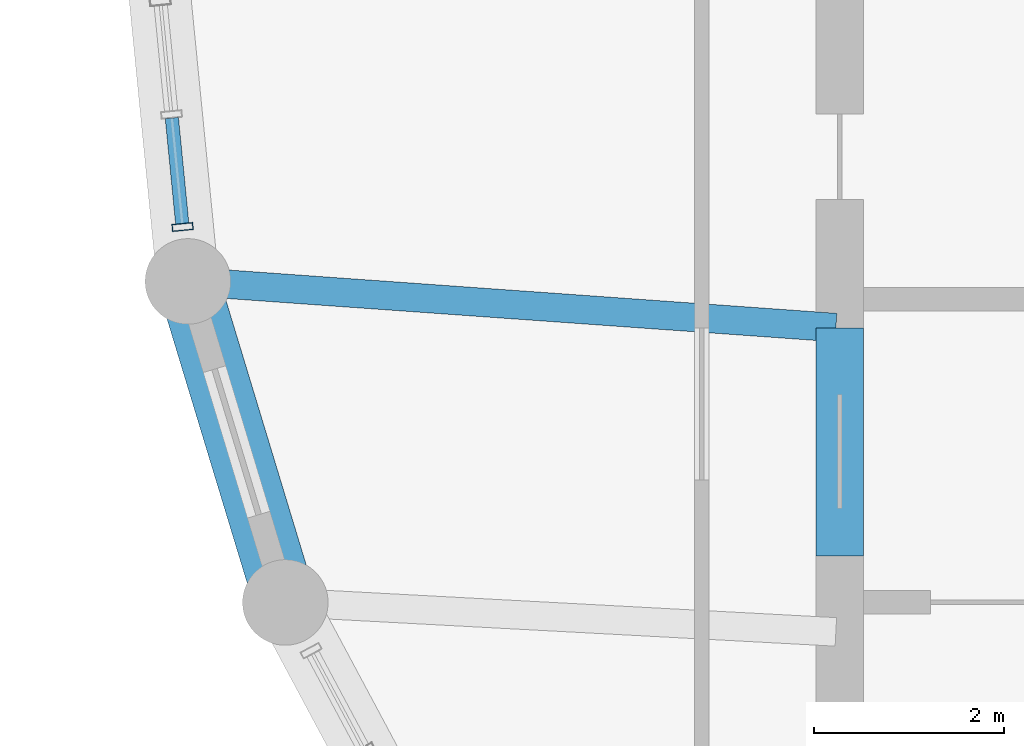
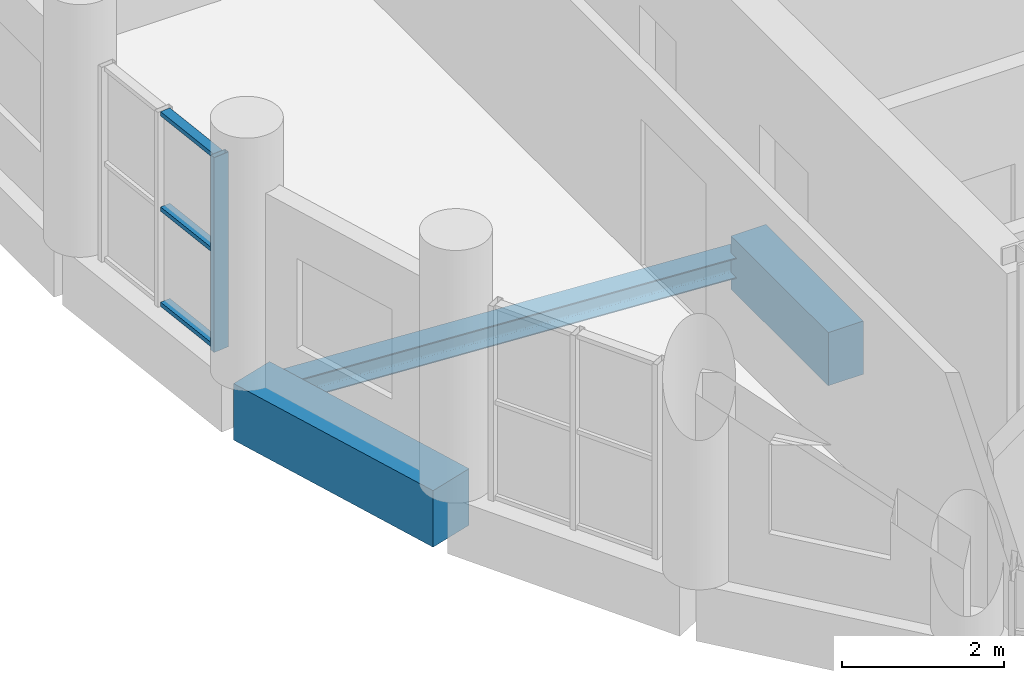
# One storey, part 3 of 12: 4 members, 3 beams, 1 element without a shape of its own.
"""IFC4 building model written with IfcOpenShell, lengths in metres."""

from ifc_helpers import new_model, si_unit, direction, frame, origin, origin_2d, place, context, subcontext, project, spatial, rectangle, hollow_rectangle, i_section, extrude, material, layer, layer_set, material_profile, profile_set, type_object, element, aggregate, save


model = new_model("IFC4")

# Units and contexts
model_context = context("Model", 3, precision=1e-05, world=origin(), true_north=direction((0.0, 1.0)))
body_context = subcontext(model_context, "Body", "Model", "MODEL_VIEW")
ifc_project = project(units=[si_unit("LENGTHUNIT", "METRE"), si_unit("AREAUNIT", "SQUARE_METRE"), si_unit("VOLUMEUNIT", "CUBIC_METRE"), si_unit("PLANEANGLEUNIT", "RADIAN"), si_unit("MASSUNIT", "GRAM", prefix="KILO")], contexts=[model_context])

# Site, building, storey
site_placement = place(None, origin())
site = spatial("IfcSite", under=ifc_project, at=site_placement, CompositionType="ELEMENT")
building_placement = place(site_placement, origin())
building = spatial("IfcBuilding", under=site, at=building_placement, Name="Solnavia Interchange Tower", CompositionType="ELEMENT")
storey_placement = place(building_placement, frame((0.0, 0.0, 193.800048828125)))
storey = spatial("IfcBuildingStorey", under=building, at=storey_placement, Name="L48", CompositionType="ELEMENT", Elevation=193.800048828125)

# Beams
ifc_material_1 = material(Name="Concrete C50/60", Category="concrete")
ifc_material_profile_1 = material_profile(ifc_material_1, rectangle(XDim=0.5, YDim=0.800048828125, at=origin_2d()), Name="RC 500x800")
ifc_profile_set_1 = profile_set([ifc_material_profile_1], Name="Concrete C50/60")
beam_type_1 = type_object("IfcBeamType", Name="Beam-Coupling-RC500x800", PredefinedType="LINTEL", material=ifc_profile_set_1)
beam_1_placement = place(storey_placement, frame((14.39990234375, 15.199951171875, -0.400146484375), z_axis=(0.0, 1.0, 0.0), x_axis=(-1.0, 0.0, 0.0)))
element("IfcBeam", 1, at=beam_1_placement, inside=storey, type_object=beam_type_1, Name="CPB-L48-W1 Core coupling lintel beam", PredefinedType="LINTEL", context=body_context, shape_type="SweptSolid", body=[
    extrude(rectangle(XDim=0.5, YDim=0.800048828125, at=origin_2d()), origin(), (0.0, 0.0, 1.0), 2.400146484375),
])
ifc_material_2 = material(Name="Steel S355", Category="steel")
ifc_material_profile_2 = material_profile(ifc_material_2, i_section(OverallWidth=0.300048828125, OverallDepth=0.31005859375, WebThickness=0.009033203125, FlangeThickness=0.015380859375, FilletRadius=0.027099609375, at=origin_2d()), Name="HEA 320")
ifc_profile_set_2 = profile_set([ifc_material_profile_2], Name="Steel S355")
beam_type_2 = type_object("IfcBeamType", Name="Beam-Primary-HEA320", PredefinedType="BEAM", material=ifc_profile_set_2)
beam_2_placement = place(storey_placement, frame((7.625732421875, 18.082275390625, -0.405029296875), z_axis=(0.99747482749, -0.071020902015, 0.0), x_axis=(0.071020902015, 0.99747482749, 0.0)))
element("IfcBeam", 2, at=beam_2_placement, inside=storey, type_object=beam_type_2, Name="GRD-L48-DR12 Drum radial floor girder", PredefinedType="BEAM", context=body_context, shape_type="SweptSolid", body=[
    extrude(i_section(OverallWidth=0.300048828125, OverallDepth=0.31005859375, WebThickness=0.009033203125, FlangeThickness=0.015380859375, FilletRadius=0.027099609375, at=origin_2d()), origin(), (0.0, 0.0, 1.0), 6.75146484375),
])
ifc_material_profile_3 = material_profile(ifc_material_1, rectangle(XDim=0.64990234375, YDim=0.85009765625, at=origin_2d()), Name="RC 650x850")
ifc_profile_set_3 = profile_set([ifc_material_profile_3], Name="Concrete C50/60")
beam_type_3 = type_object("IfcBeamType", Name="Beam-Spandrel-RC650x850", PredefinedType="SPANDREL", material=ifc_profile_set_3)
beam_3_placement = place(storey_placement, frame((7.569091796875, 18.011474609375, -0.425048828125), z_axis=(0.290319223646, -0.956929855518, 0.0), x_axis=(0.956929855518, 0.290319223646, 0.0)))
element("IfcBeam", 3, at=beam_3_placement, inside=storey, type_object=beam_type_3, Name="SPB-L48-02 Framed-tube perimeter spandrel beam", PredefinedType="SPANDREL", context=body_context, shape_type="SweptSolid", body=[
    extrude(rectangle(XDim=0.64990234375, YDim=0.85009765625, at=origin_2d()), origin(), (0.0, 0.0, 1.0), 3.367919921875),
])

# Curtain wall, members
ifc_material_3 = material(Name="Aluminium Alloy 6063-T6", Category="aluminium")
ifc_layer = layer(ifc_material_3, 0.239990234375)
ifc_layer_set = layer_set([ifc_layer], Name="Aluminium Alloy 6063-T6")
curtain_wall_type = type_object("IfcCurtainWallType", Name="CurtainWall-Drum-CTW2", PredefinedType="NOTDEFINED", material=ifc_layer_set)
curtain_wall_placement = place(storey_placement, origin())
curtain_wall = element("IfcCurtainWall", 4, at=curtain_wall_placement, inside=storey, type_object=curtain_wall_type, Name="CTW-L48-D47 CTW-2 curtain wall", PredefinedType="NOTDEFINED")
ifc_material_profile_4 = material_profile(ifc_material_3, hollow_rectangle(XDim=0.074951171875, YDim=0.219970703125, WallThickness=0.0048828125, at=origin_2d()), Name="ALU 220x75x5")
ifc_profile_set_4 = profile_set([ifc_material_profile_4], Name="Aluminium Alloy 6063-T6")
member_type_1 = type_object("IfcMemberType", Name="CW-Mullion-CWM-2", PredefinedType="MULLION", material=ifc_profile_set_4)
member_1_placement = place(storey_placement, frame((7.489501953125, 18.66015625, 0.0), z_axis=(0.0, 0.0, 1.0), x_axis=(0.098043088306, -0.995182170678, 0.0)))
member_1 = element("IfcMember", 5, at=member_1_placement, type_object=member_type_1, Name="CTW-2 mullion 3", PredefinedType="MULLION", context=body_context, shape_type="SweptSolid", body=[
    extrude(hollow_rectangle(XDim=0.074951171875, YDim=0.219970703125, WallThickness=0.0048828125, at=origin_2d()), origin(), (0.0, 0.0, 1.0), 2.929931640625),
])
ifc_material_profile_5 = material_profile(ifc_material_3, hollow_rectangle(XDim=0.06494140625, YDim=0.139892578125, WallThickness=0.00390625, at=origin_2d()), Name="ALU 140x65x4")
ifc_profile_set_5 = profile_set([ifc_material_profile_5], Name="Aluminium Alloy 6063-T6")
member_type_2 = type_object("IfcMemberType", Name="CW-Transom-CWT-2", PredefinedType="USERDEFINED", material=ifc_profile_set_5)
member_2_placement = place(storey_placement, frame((7.376708984375, 19.806640625, 0.032470703125), z_axis=(0.097920280653, -0.995194261758, 0.0), x_axis=(0.0, 0.0, 1.0)))
member_2 = element("IfcMember", 6, at=member_2_placement, type_object=member_type_2, Name="CTW-2 transom 2.1", ObjectType="TRANSOM", PredefinedType="USERDEFINED", context=body_context, shape_type="SweptSolid", body=[
    extrude(hollow_rectangle(XDim=0.06494140625, YDim=0.139892578125, WallThickness=0.00390625, at=origin_2d()), origin(), (0.0, 0.0, 1.0), 1.114501953125),
])
member_3_placement = place(storey_placement, frame((7.376708984375, 19.806640625, 1.46484375), z_axis=(0.097920280653, -0.995194261758, 0.0), x_axis=(0.0, 0.0, 1.0)))
member_3 = element("IfcMember", 7, at=member_3_placement, type_object=member_type_2, Name="CTW-2 transom 2.2", ObjectType="TRANSOM", PredefinedType="USERDEFINED", context=body_context, shape_type="SweptSolid", body=[
    extrude(hollow_rectangle(XDim=0.06494140625, YDim=0.139892578125, WallThickness=0.00390625, at=origin_2d()), origin(), (0.0, 0.0, 1.0), 1.114501953125),
])
member_4_placement = place(storey_placement, frame((7.376708984375, 19.806640625, 2.8974609375), z_axis=(0.097920280653, -0.995194261758, 0.0), x_axis=(0.0, 0.0, 1.0)))
member_4 = element("IfcMember", 8, at=member_4_placement, type_object=member_type_2, Name="CTW-2 transom 2.3", ObjectType="TRANSOM", PredefinedType="USERDEFINED", context=body_context, shape_type="SweptSolid", body=[
    extrude(hollow_rectangle(XDim=0.06494140625, YDim=0.139892578125, WallThickness=0.00390625, at=origin_2d()), origin(), (0.0, 0.0, 1.0), 1.114501953125),
])
aggregate(curtain_wall, [member_1, member_2, member_3, member_4])

save(model, "model.ifc")
